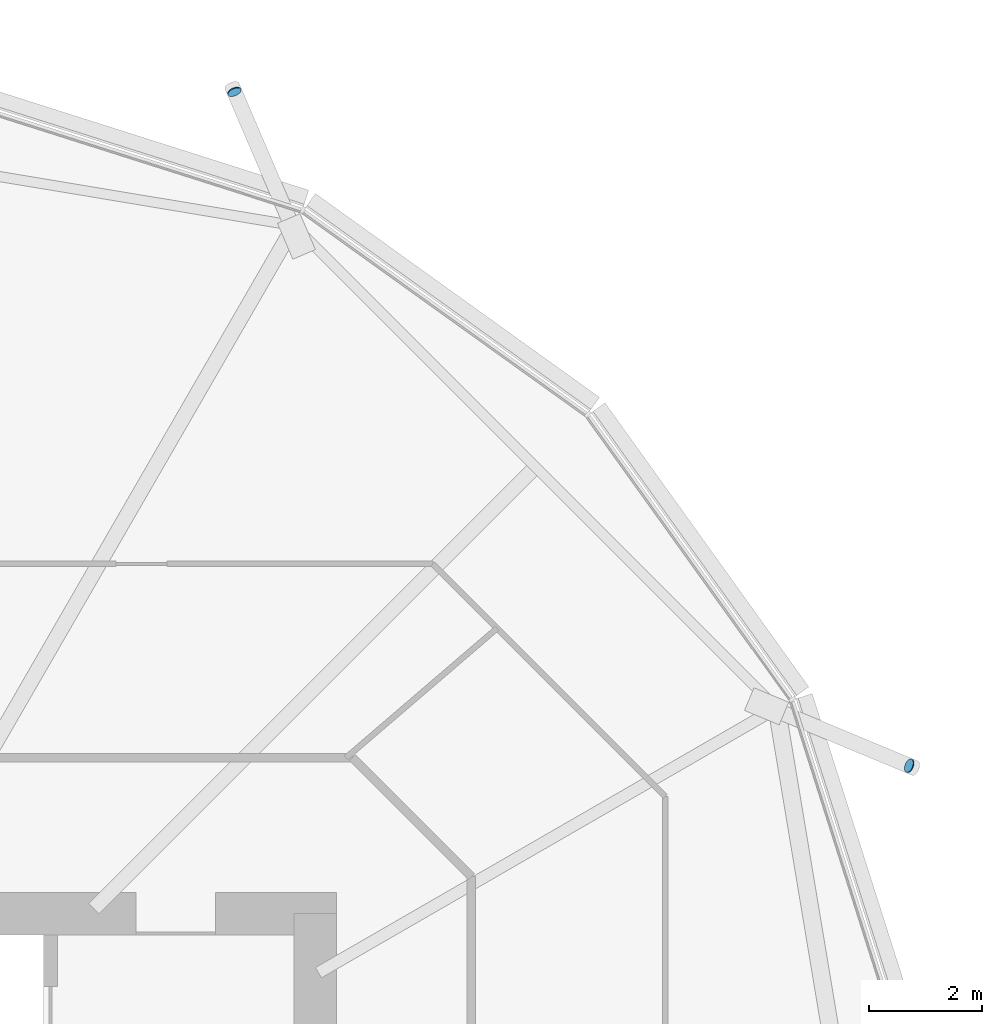
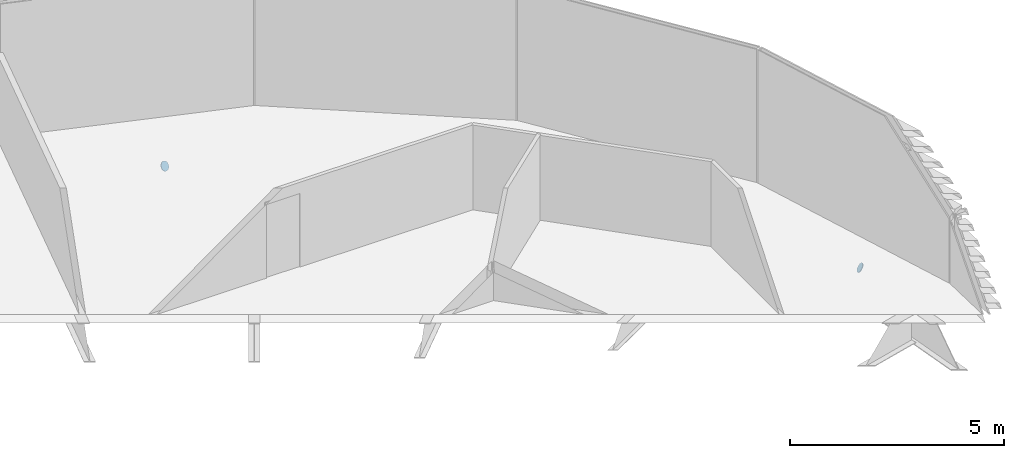
# One storey, part 34 of 40: 2 discrete accessories.
"""IFC4 building model written with IfcOpenShell, lengths in metres."""

import ifcopenshell
import ifcopenshell.guid

model = None  # the IFC model being written
_history = None  # IfcOwnerHistory: only IFC2X3 demands one
_inside = {}  # id of a spatial element -> (the spatial element, [elements in it])
_under = {}  # id of a project, library or spatial element -> (it, [spatial elements below it])
_declared = {}  # id of a project -> (the project, [libraries it declares])
_typed = {}  # id of a type object -> (the type object, [elements of that type])
_made_of = {}  # id of a material, layer set ... -> (it, [elements and type objects made of it])


def new_model(schema):
    """Start an empty IFC model of exactly this schema.

    Asked for "IFC4X3", IfcOpenShell would pick the latest addendum, in which some entities
    have other attributes; the version numbers below select the first issue.
    IFC2X3 requires an IfcOwnerHistory on every rooted entity: one is made here for all.
    """
    global model, _history
    if schema == "IFC4X3":
        model = ifcopenshell.file(schema_version=(4, 3, 0, 0))
    else:
        model = ifcopenshell.file(schema=schema)
    _inside.clear()
    _under.clear()
    _declared.clear()
    _typed.clear()
    _made_of.clear()
    _history = None
    if model.schema == "IFC2X3":
        org = make("IfcOrganization", Name="unknown")
        user = make(
            "IfcPersonAndOrganization",
            ThePerson=make("IfcPerson", FamilyName="unknown"),
            TheOrganization=org,
        )
        app = make(
            "IfcApplication",
            ApplicationDeveloper=org,
            Version="unknown",
            ApplicationFullName="unknown",
            ApplicationIdentifier="unknown",
        )
        _history = make(
            "IfcOwnerHistory",
            OwningUser=user,
            OwningApplication=app,
            ChangeAction="ADDED",
            CreationDate=0,
        )
    return model


def make(cls, **values):
    """One entity of the class cls with the attributes given. An attribute that is None is left unset."""
    return model.create_entity(
        cls, **{name: value for name, value in values.items() if value is not None}
    )


def rooted(cls, **values):
    """An entity with a GlobalId (a new one), such as an element, a storey or a relation."""
    return make(cls, GlobalId=ifcopenshell.guid.new(), OwnerHistory=_history, **values)


def si_unit(unit_type, name, prefix=None):
    """IfcSIUnit, for example si_unit("LENGTHUNIT", "METRE", prefix="MILLI")."""
    return make("IfcSIUnit", UnitType=unit_type, Prefix=prefix, Name=name)


def assignment(units):
    """IfcUnitAssignment: the units of a project."""
    return None if units is None else make("IfcUnitAssignment", Units=units)


def point(xyz):
    """IfcCartesianPoint."""
    return None if xyz is None else make("IfcCartesianPoint", Coordinates=xyz)


def direction(xyz):
    """IfcDirection."""
    return None if xyz is None else make("IfcDirection", DirectionRatios=xyz)


def frame(location, z_axis=None, x_axis=None):
    """IfcAxis2Placement3D, a coordinate frame: its origin and axes. An axis left out is left unset."""
    return make(
        "IfcAxis2Placement3D",
        Location=point(location),
        Axis=direction(z_axis),
        RefDirection=direction(x_axis),
    )


def frame_2d(location, x_axis=None):
    """IfcAxis2Placement2D, a coordinate frame in the plane: its origin and x axis."""
    return make(
        "IfcAxis2Placement2D", Location=point(location), RefDirection=direction(x_axis)
    )


def origin():
    """The frame at (0, 0, 0) with its axes left unset."""
    return frame((0.0, 0.0, 0.0))


def origin_2d():
    """The frame at (0, 0) in the plane with its x axis left unset."""
    return frame_2d((0.0, 0.0))


def place(relative_to, where):
    """IfcLocalPlacement: puts the frame where relative to a parent placement (None: the world)."""
    return make(
        "IfcLocalPlacement", PlacementRelTo=relative_to, RelativePlacement=where
    )


def context(
    kind, dimensions, precision=None, world=None, true_north=None, identifier=None
):
    """IfcGeometricRepresentationContext, for example the 3D "Model" context."""
    return make(
        "IfcGeometricRepresentationContext",
        ContextIdentifier=identifier,
        ContextType=kind,
        CoordinateSpaceDimension=dimensions,
        Precision=precision,
        WorldCoordinateSystem=world,
        TrueNorth=true_north,
    )


def subcontext(parent, identifier, kind, view, scale=None):
    """IfcGeometricRepresentationSubContext, for example "Body" below "Model"."""
    return make(
        "IfcGeometricRepresentationSubContext",
        ContextIdentifier=identifier,
        ContextType=kind,
        ParentContext=parent,
        TargetScale=scale,
        TargetView=view,
    )


def project(units=None, contexts=None):
    """IfcProject with its units and contexts."""
    return rooted(
        "IfcProject",
        Name="project",
        RepresentationContexts=contexts,
        UnitsInContext=assignment(units),
    )


def spatial(cls, under=None, at=None, **own):
    """A site, building, storey or space (cls), placed at a placement, below another one or the project."""
    s = rooted(cls, ObjectPlacement=at, **own)
    if under is not None:
        _under.setdefault(under.id(), (under, []))[1].append(s)
    return s


def profile(cls, at=None, kind="AREA", **sizes):
    """A parametric profile (cls). Its sizes go by their IFC names, for example OverallWidth=200.0."""
    return make(cls, ProfileType=kind, Position=at, **sizes)


def circle(**sizes):
    """IfcCircleProfileDef."""
    return profile("IfcCircleProfileDef", **sizes)


def extrude(swept, where, along, depth):
    """IfcExtrudedAreaSolid: the profile swept, set in the frame where, extruded along a direction by depth."""
    return make(
        "IfcExtrudedAreaSolid",
        SweptArea=swept,
        Position=where,
        ExtrudedDirection=direction(along),
        Depth=depth,
    )


def shape(context_of_items, identifier, shape_type, items):
    """IfcShapeRepresentation: the items that make up one representation, for example the "Body"."""
    return make(
        "IfcShapeRepresentation",
        ContextOfItems=context_of_items,
        RepresentationIdentifier=identifier,
        RepresentationType=shape_type,
        Items=items,
    )


def material(Name=None, Category=None):
    """IfcMaterial."""
    return make("IfcMaterial", Name=Name, Category=Category)


def material_profile(
    of_material, cross_section, Name=None, Category=None, Priority=None
):
    """IfcMaterialProfile: a cross section and its material."""
    return make(
        "IfcMaterialProfile",
        Name=Name,
        Material=of_material,
        Profile=cross_section,
        Priority=Priority,
        Category=Category,
    )


def profile_set(profiles, Name=None, composite=None):
    """IfcMaterialProfileSet."""
    return make(
        "IfcMaterialProfileSet",
        Name=Name,
        MaterialProfiles=profiles,
        CompositeProfile=composite,
    )


def made_of(thing, what):
    """Note that an element or type object is made of a material, layer set ...; save() writes the relation."""
    if what is not None:
        _made_of.setdefault(what.id(), (what, []))[1].append(thing)
    return thing


def type_object(cls, material=None, **own):
    """A type object (cls), such as IfcWallType, which elements share."""
    return made_of(rooted(cls, **own), material)


def element(
    cls,
    number,
    at=None,
    inside=None,
    cuts=None,
    type_object=None,
    material=None,
    context=None,
    identifier="Body",
    shape_type=None,
    held_by="IfcProductDefinitionShape",
    body=None,
    shapes=None,
    **own,
):
    """One element of the class cls, such as IfcWall. Its Tag is "e" and its number.

    at: its placement. inside: the storey or other place that contains it. cuts: it is an
    opening in that element (IfcRelVoidsElement). A single representation is given by context,
    identifier, shape_type and body (its items); several are given by shapes. held_by: the class
    of the entity that holds the representations. save() writes the other relations.
    """
    e = rooted(cls, Tag="e%d" % number, ObjectPlacement=at, **own)
    if body is not None:
        shapes = [shape(context, identifier, shape_type, body)]
    if shapes is not None:
        e.Representation = make(held_by, Representations=shapes)
    if inside is not None:
        _inside.setdefault(inside.id(), (inside, []))[1].append(e)
    if cuts is not None:
        rooted(
            "IfcRelVoidsElement", RelatingBuildingElement=cuts, RelatedOpeningElement=e
        )
    if type_object is not None:
        _typed.setdefault(type_object.id(), (type_object, []))[1].append(e)
    return made_of(e, material)


def aggregate(whole, parts):
    """IfcRelAggregates: a whole, such as a stair, and the parts it consists of."""
    return rooted("IfcRelAggregates", RelatingObject=whole, RelatedObjects=parts)


def save(model, path):
    """Write the relations noted so far, then the file.

    IfcRelAggregates (storeys below a building ...), IfcRelContainedInSpatialStructure (elements
    in a storey), IfcRelDefinesByType, IfcRelAssociatesMaterial and IfcRelDeclares: one each for
    every whole, place, type object, material and project.
    """
    for whole, parts in _under.values():
        aggregate(whole, parts)
    for where, things in _inside.values():
        rooted(
            "IfcRelContainedInSpatialStructure",
            RelatedElements=things,
            RelatingStructure=where,
        )
    for kind, things in _typed.values():
        rooted("IfcRelDefinesByType", RelatedObjects=things, RelatingType=kind)
    for what, things in _made_of.values():
        rooted("IfcRelAssociatesMaterial", RelatedObjects=things, RelatingMaterial=what)
    for by, libraries in _declared.values():
        rooted("IfcRelDeclares", RelatingContext=by, RelatedDefinitions=libraries)
    model.write(path)


model = new_model("IFC4")

# Units and contexts
model_context = context("Model", 3, precision=1e-05, world=origin(), true_north=direction((0.0, 1.0)))
body_context = subcontext(model_context, "Body", "Model", "MODEL_VIEW")
ifc_project = project(units=[si_unit("LENGTHUNIT", "METRE"), si_unit("AREAUNIT", "SQUARE_METRE"), si_unit("VOLUMEUNIT", "CUBIC_METRE"), si_unit("PLANEANGLEUNIT", "RADIAN"), si_unit("MASSUNIT", "GRAM", prefix="KILO")], contexts=[model_context])

# Site, building, storey
site_placement = place(None, origin())
site = spatial("IfcSite", under=ifc_project, at=site_placement, CompositionType="ELEMENT")
building_placement = place(site_placement, origin())
building = spatial("IfcBuilding", under=site, at=building_placement, Name="Rimbun Link Towers", CompositionType="ELEMENT")
storey_placement = place(building_placement, frame((0.0, 0.0, 89.199951171875)))
storey = spatial("IfcBuildingStorey", under=building, at=storey_placement, Name="L21", CompositionType="ELEMENT", Elevation=89.199951171875)

# Discrete accessories
ifc_material = material(Name="Steel S355J2H", Category="steel")
ifc_material_profile = material_profile(ifc_material, circle(Radius=0.1240234375, at=origin_2d()), Name="PL D248")
ifc_profile_set = profile_set([ifc_material_profile], Name="Steel S355J2H")
discrete_accessory_type = type_object("IfcDiscreteAccessoryType", Name="Link foot sealing plate D248X20", PredefinedType="BRACKET", material=ifc_profile_set)
for number, where, z_axis, x_axis, name in (
    (1, (42.322998046875, 22.48876953125, -2.6083984375), (-0.343513033368, 0.785172647699, -0.515269550053), (-0.916157334902, -0.40081883402, 0.0), "Link foot sealing plate T2 L21 01"),
    (2, (54.2158203125, 10.611083984375, -2.466064453125), (0.776285258402, -0.315365886226, -0.545825572314), (0.376377046956, 0.926466577122, 0.0), "Link foot sealing plate T2 L21 23"),
):
    element("IfcDiscreteAccessory", number, at=place(storey_placement, frame(where, z_axis=z_axis, x_axis=x_axis)), inside=storey, type_object=discrete_accessory_type, Name=name, PredefinedType="BRACKET", context=body_context, shape_type="SweptSolid", body=[
        extrude(circle(Radius=0.1240234375, at=origin_2d()), origin(), (0.0, 0.0, 1.0), 0.02001953125),
    ])

save(model, "model.ifc")
